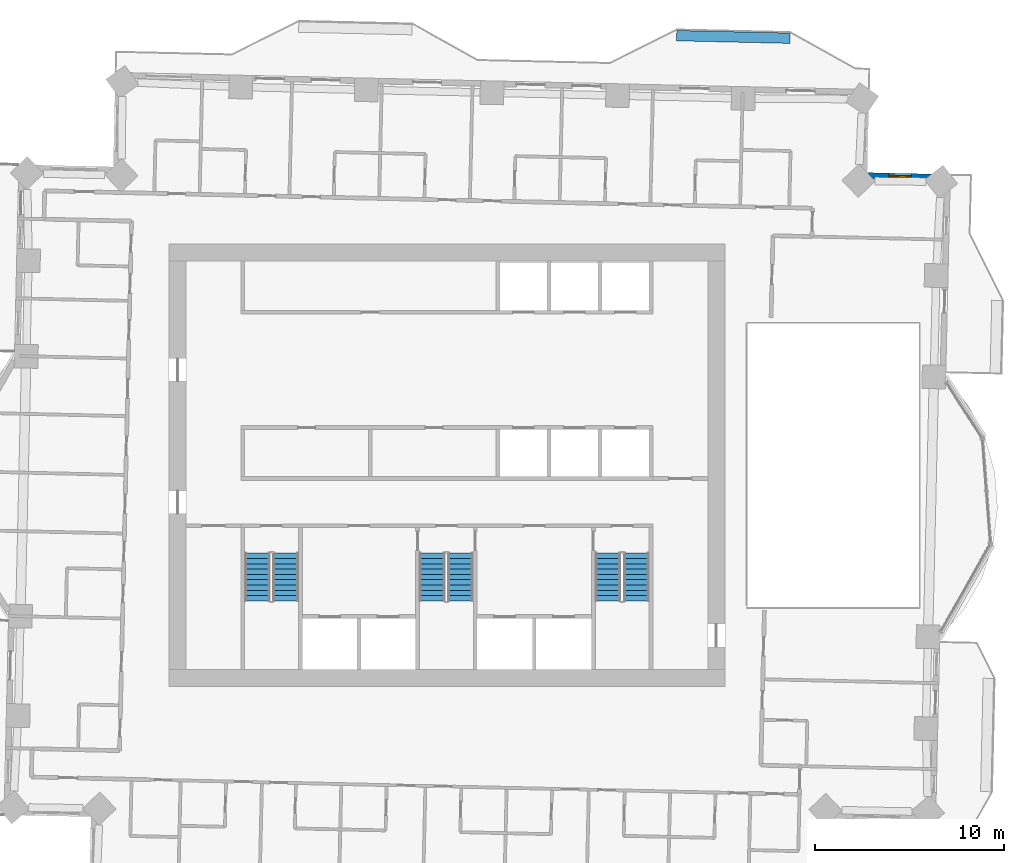
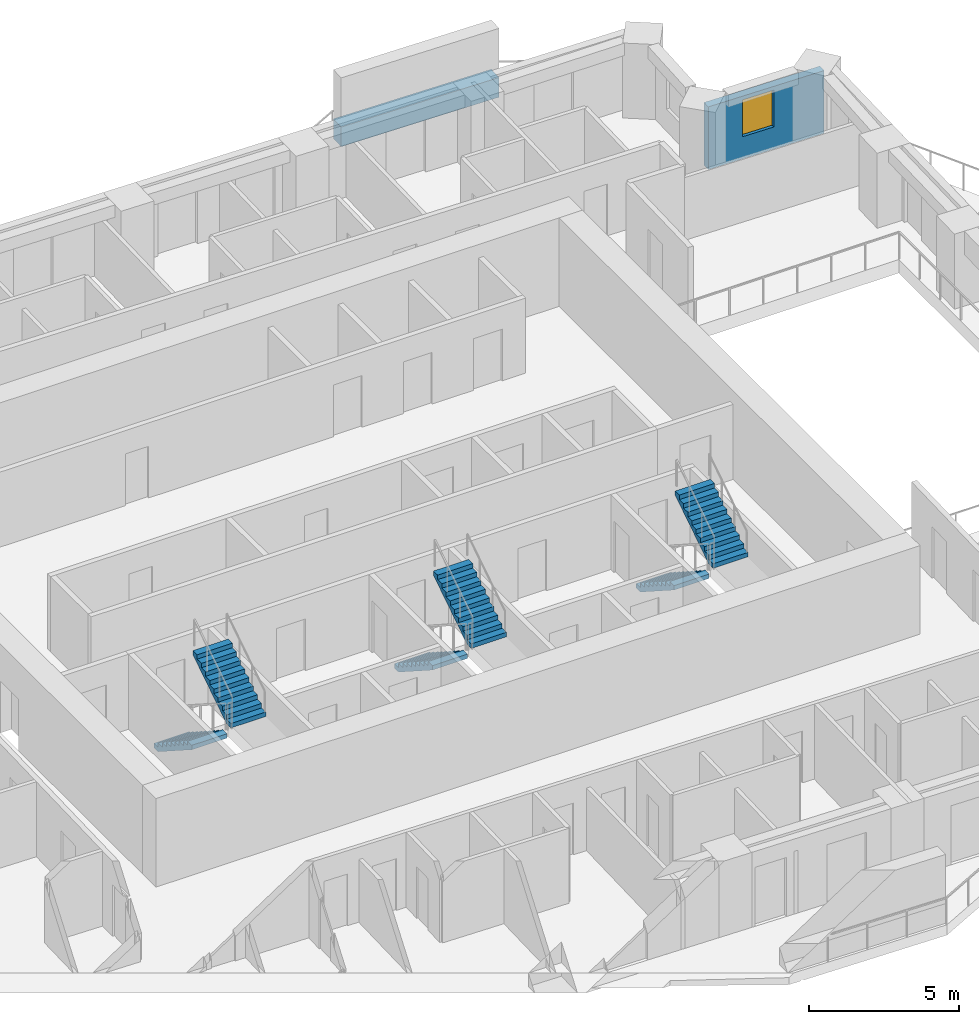
# One storey, part 10 of 14: 6 stair flights, 2 walls, 1 window, 1 opening, 3 elements without a shape of their own.
"""IFC4 building model written with IfcOpenShell, lengths in metres."""

from ifc_helpers import new_model, si_unit, direction, frame, frame_2d, origin, place, context, subcontext, project, spatial, polyline, rectangle, outline, extrude, material, layer, layer_set, type_object, element, fill, aggregate, save


model = new_model("IFC4")

# Units and contexts
model_context = context("Model", 3, precision=1e-05, world=origin(), true_north=direction((0.0, 1.0)))
body_context = subcontext(model_context, "Body", "Model", "MODEL_VIEW")
ifc_project = project(units=[si_unit("LENGTHUNIT", "METRE"), si_unit("AREAUNIT", "SQUARE_METRE"), si_unit("VOLUMEUNIT", "CUBIC_METRE"), si_unit("PLANEANGLEUNIT", "RADIAN"), si_unit("MASSUNIT", "GRAM", prefix="KILO")], contexts=[model_context])

# Site, building, storey
site_placement = place(None, origin())
site = spatial("IfcSite", under=ifc_project, at=site_placement, CompositionType="ELEMENT")
building_placement = place(site_placement, origin())
building = spatial("IfcBuilding", under=site, at=building_placement, Name="Mangrove Gate Tower", CompositionType="ELEMENT")
storey_placement = place(building_placement, frame((0.0, 0.0, 159.89990234375)))
storey = spatial("IfcBuildingStorey", under=building, at=storey_placement, Name="L40", CompositionType="ELEMENT", Elevation=159.89990234375)

# Wall, opening, window
ifc_material_1 = material(Name="Limestone", Category="masonry")
ifc_layer_1 = layer(ifc_material_1, 0.0400390625, Name="Limestone cladding")
ifc_material_2 = material(Name="Ventilated air gap")
ifc_layer_2 = layer(ifc_material_2, 0.0400390625, Name="Ventilated cavity")
ifc_material_3 = material(Name="Mineral wool insulation")
ifc_layer_3 = layer(ifc_material_3, 0.06005859375, Name="Insulation")
ifc_material_4 = material(Name="Breather membrane")
ifc_layer_4 = layer(ifc_material_4, 0.001953125, Name="Breather membrane")
ifc_material_5 = material(Name="Concrete C20/25 blockwork", Category="masonry")
ifc_layer_5 = layer(ifc_material_5, 0.14990234375, Name="Blockwork backing wall")
ifc_material_6 = material(Name="Gypsum plaster")
ifc_layer_6 = layer(ifc_material_6, 0.008056640625, Name="Internal plaster")
ifc_layer_set_1 = layer_set([ifc_layer_1, ifc_layer_2, ifc_layer_3, ifc_layer_4, ifc_layer_5, ifc_layer_6], Name="External wall 300 limestone cladding")
wall_type_1 = type_object("IfcWallType", Name="External wall 300 limestone cladding", PredefinedType="SOLIDWALL", material=ifc_layer_set_1)
wall_1_placement = place(storey_placement, frame((26.47998046875, 15.239990234375, 0.0), z_axis=(0.0, 0.0, 1.0), x_axis=(-0.999741204967, 0.022749133868, 0.0)))
wall_1 = element("IfcWall", 1, at=wall_1_placement, inside=storey, type_object=wall_type_1, Name="WALL-L40-N3", PredefinedType="SOLIDWALL", context=body_context, shape_type="SweptSolid", body=[
    extrude(rectangle(XDim=4.400146484375, YDim=0.300048828125, at=frame_2d((2.2001953125, 0.0))), origin(), (0.0, 0.0, 1.0), 2.550048828125),
])
opening_placement = place(wall_1_placement, frame((1.909912109375, 0.0, 0.89990234375)))
opening = element("IfcOpeningElement", 2, at=opening_placement, cuts=wall_1, Name="Opening W1", PredefinedType="OPENING", context=body_context, shape_type="SweptSolid", body=[
    extrude(rectangle(XDim=1.199951171875, YDim=1.5, at=frame_2d((0.60009765625, 0.75))), frame((0.0, 0.159912109375, 0.0), z_axis=(0.0, -1.0, 0.0), x_axis=(1.0, 0.0, 0.0)), (0.0, 0.0, 1.0), 0.320068359375),
])
ifc_material_7 = material(Name="Aluminium frame with double-glazed low-e glass", Category="aluminium")
window_type = type_object("IfcWindowType", Name="Side lite 1200x1500", PartitioningType="SINGLE_PANEL", PredefinedType="WINDOW", material=ifc_material_7)
window_placement = place(opening_placement, origin())
window = element("IfcWindow", 3, at=window_placement, inside=storey, type_object=window_type, Name="WIN-L40-N3-1", OverallHeight=1.5, OverallWidth=1.199951171875, PartitioningType="SINGLE_PANEL", PredefinedType="WINDOW", context=body_context, shape_type="SweptSolid", body=[
    extrude(rectangle(XDim=1.199951171875, YDim=1.5, at=frame_2d((0.60009765625, 0.75))), frame((0.0, 0.030029296875, 0.0), z_axis=(0.0, -1.0, 0.0), x_axis=(1.0, 0.0, 0.0)), (0.0, 0.0, 1.0), 0.06005859375),
])
fill(opening, window)

# Wall
ifc_material_8 = material(Name="Concrete C32/40", Category="concrete")
ifc_layer_7 = layer(ifc_material_8, 0.199951171875, Name="Planter trough wall")
ifc_material_9 = material(Name="Bituminous waterproofing membrane")
ifc_layer_8 = layer(ifc_material_9, 0.0048828125, Name="Waterproofing")
ifc_material_10 = material(Name="Drainage board and gravel")
ifc_layer_9 = layer(ifc_material_10, 0.044921875, Name="Drainage layer")
ifc_material_11 = material(Name="Planting soil")
ifc_layer_10 = layer(ifc_material_11, 0.300048828125, Name="Growing medium")
ifc_layer_set_2 = layer_set([ifc_layer_7, ifc_layer_8, ifc_layer_9, ifc_layer_10], Name="Planter wall 550 C32/40")
wall_type_2 = type_object("IfcWallType", Name="Planter wall 550 C32/40", PredefinedType="USERDEFINED", material=ifc_layer_set_2)
wall_2_placement = place(storey_placement, frame((12.156005859375, 22.73193359375, 0.0), z_axis=(0.0, 0.0, 1.0), x_axis=(0.999743178102, -0.022662255828, 0.0)))
element("IfcWall", 4, at=wall_2_placement, inside=storey, type_object=wall_type_2, Name="PLANTER L40 N0.1", ObjectType="PLANTER", PredefinedType="USERDEFINED", context=body_context, shape_type="SweptSolid", body=[
    extrude(rectangle(XDim=6.00048828125, YDim=0.550048828125, at=frame_2d((3.000244140625, 0.0))), origin(), (0.0, 0.0, 1.0), 0.800048828125),
])

# Stair, stair flights
ifc_material_12 = material(Name="Concrete C40/50", Category="concrete")
stair_type = type_object("IfcStairType", Name="Core stair 1350", PredefinedType="HALF_TURN_STAIR", material=ifc_material_12)
stair_1_placement = place(storey_placement, origin())
stair_1 = element("IfcStair", 5, at=stair_1_placement, inside=storey, type_object=stair_type, Name="L40 Stair 1", PredefinedType="HALF_TURN_STAIR")
ifc_material_13 = material(Name="Concrete C40/50", Category="concrete")
stair_flight_type = type_object("IfcStairFlightType", Name="Core stair flight 1350", PredefinedType="STRAIGHT", material=ifc_material_13)
stair_flight_1_placement = place(storey_placement, frame((-10.02490234375, -4.64990234375, 0.0), z_axis=(0.0, 0.0, 1.0), x_axis=(0.0, -1.0, 0.0)))
stair_flight_1 = element("IfcStairFlight", 6, at=stair_flight_1_placement, type_object=stair_flight_type, Name="ST1 flight 1", NumberOfRisers=10, NumberOfTreads=9, PredefinedType="STRAIGHT", RiserHeight=0.18, TreadLength=0.28, context=body_context, shape_type="SweptSolid", body=[
    extrude(outline(polyline([(0.0, 0.0), (0.0, 0.179931640625), (0.280029296875, 0.179931640625), (0.280029296875, 0.360107421875), (0.56005859375, 0.360107421875), (0.56005859375, 0.5400390625), (0.840087890625, 0.5400390625), (0.840087890625, 0.719970703125), (1.1201171875, 0.719970703125), (1.1201171875, 0.89990234375), (1.39990234375, 0.89990234375), (1.39990234375, 1.080078125), (1.679931640625, 1.080078125), (1.679931640625, 1.260009765625), (1.9599609375, 1.260009765625), (1.9599609375, 1.43994140625), (2.239990234375, 1.43994140625), (2.239990234375, 1.6201171875), (2.52001953125, 1.6201171875), (2.52001953125, 1.800048828125), (2.52001953125, 1.44189453125), (0.277099609375, 0.0), (0.0, 0.0)])), frame((0.0, 0.675048828125, 0.0), z_axis=(0.0, -1.0, 0.0), x_axis=(1.0, 0.0, 0.0)), (0.0, 0.0, 1.0), 1.35009765625),
])
stair_flight_2_placement = place(storey_placement, frame((-8.52490234375, -7.169921875, 1.800048828125), z_axis=(0.0, 0.0, 1.0), x_axis=(0.0, 1.0, 0.0)))
stair_flight_2 = element("IfcStairFlight", 7, at=stair_flight_2_placement, type_object=stair_flight_type, Name="ST1 flight 2", NumberOfRisers=10, NumberOfTreads=9, PredefinedType="STRAIGHT", RiserHeight=0.18, TreadLength=0.28, context=body_context, shape_type="SweptSolid", body=[
    extrude(outline(polyline([(0.0, 0.0), (0.0, 0.179931640625), (0.280029296875, 0.179931640625), (0.280029296875, 0.360107421875), (0.56005859375, 0.360107421875), (0.56005859375, 0.5400390625), (0.840087890625, 0.5400390625), (0.840087890625, 0.719970703125), (1.1201171875, 0.719970703125), (1.1201171875, 0.89990234375), (1.39990234375, 0.89990234375), (1.39990234375, 1.080078125), (1.679931640625, 1.080078125), (1.679931640625, 1.260009765625), (1.9599609375, 1.260009765625), (1.9599609375, 1.43994140625), (2.239990234375, 1.43994140625), (2.239990234375, 1.6201171875), (2.52001953125, 1.6201171875), (2.52001953125, 1.800048828125), (2.52001953125, 1.44189453125), (0.277099609375, 0.0), (0.0, 0.0)])), frame((0.0, 0.675048828125, 0.0), z_axis=(0.0, -1.0, 0.0), x_axis=(1.0, 0.0, 0.0)), (0.0, 0.0, 1.0), 1.35009765625),
])
aggregate(stair_1, [stair_flight_1, stair_flight_2])

stair_2_placement = place(storey_placement, origin())
stair_2 = element("IfcStair", 8, at=stair_2_placement, inside=storey, type_object=stair_type, Name="L40 Stair 2", PredefinedType="HALF_TURN_STAIR")
stair_flight_3_placement = place(storey_placement, frame((-0.77490234375, -4.64990234375, 0.0), z_axis=(0.0, 0.0, 1.0), x_axis=(0.0, -1.0, 0.0)))
stair_flight_3 = element("IfcStairFlight", 9, at=stair_flight_3_placement, type_object=stair_flight_type, Name="ST2 flight 1", NumberOfRisers=10, NumberOfTreads=9, PredefinedType="STRAIGHT", RiserHeight=0.18, TreadLength=0.28, context=body_context, shape_type="SweptSolid", body=[
    extrude(outline(polyline([(0.0, 0.0), (0.0, 0.179931640625), (0.280029296875, 0.179931640625), (0.280029296875, 0.360107421875), (0.56005859375, 0.360107421875), (0.56005859375, 0.5400390625), (0.840087890625, 0.5400390625), (0.840087890625, 0.719970703125), (1.1201171875, 0.719970703125), (1.1201171875, 0.89990234375), (1.39990234375, 0.89990234375), (1.39990234375, 1.080078125), (1.679931640625, 1.080078125), (1.679931640625, 1.260009765625), (1.9599609375, 1.260009765625), (1.9599609375, 1.43994140625), (2.239990234375, 1.43994140625), (2.239990234375, 1.6201171875), (2.52001953125, 1.6201171875), (2.52001953125, 1.800048828125), (2.52001953125, 1.44189453125), (0.277099609375, 0.0), (0.0, 0.0)])), frame((0.0, 0.675048828125, 0.0), z_axis=(0.0, -1.0, 0.0), x_axis=(1.0, 0.0, 0.0)), (0.0, 0.0, 1.0), 1.35009765625),
])
stair_flight_4_placement = place(storey_placement, frame((0.72509765625, -7.169921875, 1.800048828125), z_axis=(0.0, 0.0, 1.0), x_axis=(0.0, 1.0, 0.0)))
stair_flight_4 = element("IfcStairFlight", 10, at=stair_flight_4_placement, type_object=stair_flight_type, Name="ST2 flight 2", NumberOfRisers=10, NumberOfTreads=9, PredefinedType="STRAIGHT", RiserHeight=0.18, TreadLength=0.28, context=body_context, shape_type="SweptSolid", body=[
    extrude(outline(polyline([(0.0, 0.0), (0.0, 0.179931640625), (0.280029296875, 0.179931640625), (0.280029296875, 0.360107421875), (0.56005859375, 0.360107421875), (0.56005859375, 0.5400390625), (0.840087890625, 0.5400390625), (0.840087890625, 0.719970703125), (1.1201171875, 0.719970703125), (1.1201171875, 0.89990234375), (1.39990234375, 0.89990234375), (1.39990234375, 1.080078125), (1.679931640625, 1.080078125), (1.679931640625, 1.260009765625), (1.9599609375, 1.260009765625), (1.9599609375, 1.43994140625), (2.239990234375, 1.43994140625), (2.239990234375, 1.6201171875), (2.52001953125, 1.6201171875), (2.52001953125, 1.800048828125), (2.52001953125, 1.44189453125), (0.277099609375, 0.0), (0.0, 0.0)])), frame((0.0, 0.675048828125, 0.0), z_axis=(0.0, -1.0, 0.0), x_axis=(1.0, 0.0, 0.0)), (0.0, 0.0, 1.0), 1.35009765625),
])
aggregate(stair_2, [stair_flight_3, stair_flight_4])

stair_3_placement = place(storey_placement, origin())
stair_3 = element("IfcStair", 11, at=stair_3_placement, inside=storey, type_object=stair_type, Name="L40 Stair 3", PredefinedType="HALF_TURN_STAIR")
stair_flight_5_placement = place(storey_placement, frame((8.52490234375, -4.64990234375, 0.0), z_axis=(0.0, 0.0, 1.0), x_axis=(0.0, -1.0, 0.0)))
stair_flight_5 = element("IfcStairFlight", 12, at=stair_flight_5_placement, type_object=stair_flight_type, Name="ST3 flight 1", NumberOfRisers=10, NumberOfTreads=9, PredefinedType="STRAIGHT", RiserHeight=0.18, TreadLength=0.28, context=body_context, shape_type="SweptSolid", body=[
    extrude(outline(polyline([(0.0, 0.0), (0.0, 0.179931640625), (0.280029296875, 0.179931640625), (0.280029296875, 0.360107421875), (0.56005859375, 0.360107421875), (0.56005859375, 0.5400390625), (0.840087890625, 0.5400390625), (0.840087890625, 0.719970703125), (1.1201171875, 0.719970703125), (1.1201171875, 0.89990234375), (1.39990234375, 0.89990234375), (1.39990234375, 1.080078125), (1.679931640625, 1.080078125), (1.679931640625, 1.260009765625), (1.9599609375, 1.260009765625), (1.9599609375, 1.43994140625), (2.239990234375, 1.43994140625), (2.239990234375, 1.6201171875), (2.52001953125, 1.6201171875), (2.52001953125, 1.800048828125), (2.52001953125, 1.44189453125), (0.277099609375, 0.0), (0.0, 0.0)])), frame((0.0, 0.675048828125, 0.0), z_axis=(0.0, -1.0, 0.0), x_axis=(1.0, 0.0, 0.0)), (0.0, 0.0, 1.0), 1.35009765625),
])
stair_flight_6_placement = place(storey_placement, frame((10.02490234375, -7.169921875, 1.800048828125), z_axis=(0.0, 0.0, 1.0), x_axis=(0.0, 1.0, 0.0)))
stair_flight_6 = element("IfcStairFlight", 13, at=stair_flight_6_placement, type_object=stair_flight_type, Name="ST3 flight 2", NumberOfRisers=10, NumberOfTreads=9, PredefinedType="STRAIGHT", RiserHeight=0.18, TreadLength=0.28, context=body_context, shape_type="SweptSolid", body=[
    extrude(outline(polyline([(0.0, 0.0), (0.0, 0.179931640625), (0.280029296875, 0.179931640625), (0.280029296875, 0.360107421875), (0.56005859375, 0.360107421875), (0.56005859375, 0.5400390625), (0.840087890625, 0.5400390625), (0.840087890625, 0.719970703125), (1.1201171875, 0.719970703125), (1.1201171875, 0.89990234375), (1.39990234375, 0.89990234375), (1.39990234375, 1.080078125), (1.679931640625, 1.080078125), (1.679931640625, 1.260009765625), (1.9599609375, 1.260009765625), (1.9599609375, 1.43994140625), (2.239990234375, 1.43994140625), (2.239990234375, 1.6201171875), (2.52001953125, 1.6201171875), (2.52001953125, 1.800048828125), (2.52001953125, 1.44189453125), (0.277099609375, 0.0), (0.0, 0.0)])), frame((0.0, 0.675048828125, 0.0), z_axis=(0.0, -1.0, 0.0), x_axis=(1.0, 0.0, 0.0)), (0.0, 0.0, 1.0), 1.35009765625),
])
aggregate(stair_3, [stair_flight_5, stair_flight_6])

save(model, "model.ifc")
